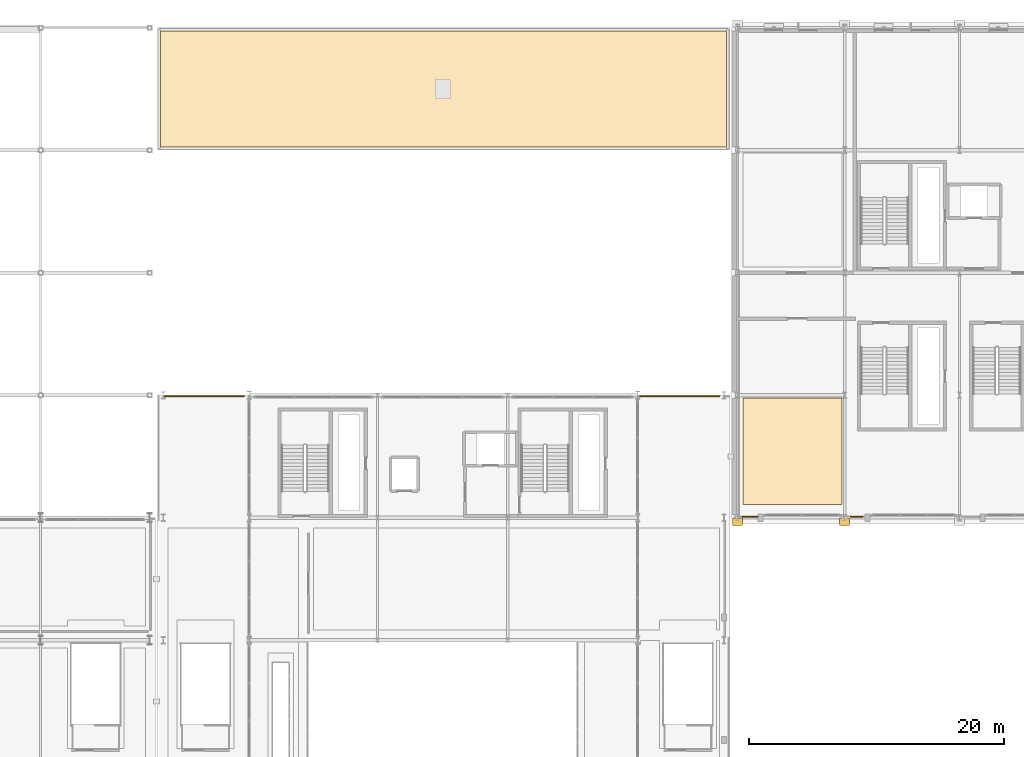
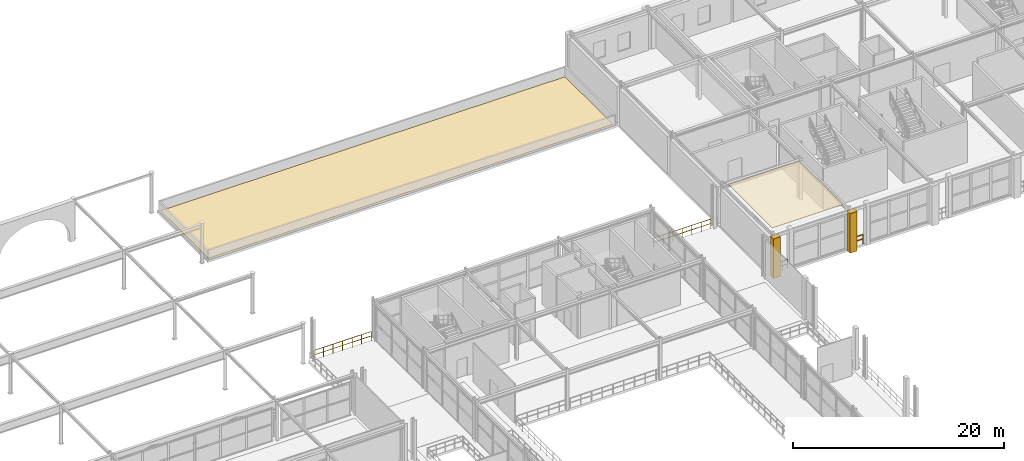
# One storey, part 108 of 125: 4 coverings, 4 railings.
"""IFC4 building model written with IfcOpenShell, lengths in metres."""

from ifc_helpers import new_model, si_unit, direction, frame, origin, origin_2d, place, context, subcontext, project, spatial, polyline, rectangle, outline, extrude, material, layer, layer_set, type_object, element, save


model = new_model("IFC4")

# Units and contexts
model_context = context("Model", 3, precision=1e-05, world=origin(), true_north=direction((0.0, 1.0)))
body_context = subcontext(model_context, "Body", "Model", "MODEL_VIEW")
ifc_project = project(units=[si_unit("LENGTHUNIT", "METRE"), si_unit("AREAUNIT", "SQUARE_METRE"), si_unit("VOLUMEUNIT", "CUBIC_METRE"), si_unit("PLANEANGLEUNIT", "RADIAN"), si_unit("MASSUNIT", "GRAM", prefix="KILO")], contexts=[model_context])

# Site, building, storey
site_placement = place(None, origin())
site = spatial("IfcSite", under=ifc_project, at=site_placement, CompositionType="ELEMENT")
building_placement = place(site_placement, origin())
building = spatial("IfcBuilding", under=site, at=building_placement, Name="Myrtia Square Station", CompositionType="ELEMENT")
storey_placement = place(building_placement, frame((0.0, 0.0, 6.0)))
storey = spatial("IfcBuildingStorey", under=building, at=storey_placement, Name="L01", CompositionType="ELEMENT", Elevation=6.0)

# Coverings
ifc_material_1 = material(Name="Pentelic marble ashlar", Category="masonry")
ifc_layer_1 = layer(ifc_material_1, 0.4599609375, Name="Pentelic marble ashlar")
ifc_layer_set_1 = layer_set([ifc_layer_1], Name="Pentelic marble ashlar")
covering_type_1 = type_object("IfcCoveringType", Name="COV-ARCH-ASHLAR", PredefinedType="CLADDING", material=ifc_layer_set_1)
for number, where, z_axis, x_axis, name in (
    (1, (117.60009765625, 86.080078125, -0.0400390625), (0.0, 0.0, 1.0), (1.0, 0.0, 0.0), "Classical Pentelic ashlar pilaster 054"),
    (2, (126.0, 86.080078125, -0.0400390625), (0.0, 0.0, 1.0), (1.0, 0.0, 0.0), "Classical Pentelic ashlar pilaster 060"),
):
    element("IfcCovering", number, at=place(storey_placement, frame(where, z_axis=z_axis, x_axis=x_axis)), inside=storey, type_object=covering_type_1, Name=name, PredefinedType="CLADDING", context=body_context, shape_type="SweptSolid", body=[
        extrude(rectangle(XDim=0.780029296875, YDim=0.56005859375, at=origin_2d()), origin(), (0.0, 0.0, 1.0), 4.590087890625),
    ])
ifc_material_2 = material(Name="Gypsum plasterboard")
ifc_layer_2 = layer(ifc_material_2, 0.034912109375, Name="Gypsum plasterboard")
ifc_layer_set_2 = layer_set([ifc_layer_2], Name="Gypsum plasterboard")
covering_type_2 = type_object("IfcCoveringType", Name="COV-CEIL-ACOUSTIC", PredefinedType="CEILING", material=ifc_layer_set_2)
covering_1_placement = place(storey_placement, frame((0.0, 0.0, 4.514892578125)))
element("IfcCovering", 3, at=covering_1_placement, inside=storey, type_object=covering_type_2, Name="Acoustic coffer ceiling L01-15", PredefinedType="CEILING", context=body_context, shape_type="SweptSolid", body=[
    extrude(outline(polyline([(118.050048828125, 87.449951171875), (118.050048828125, 95.780029296875), (125.780029296875, 95.780029296875), (125.780029296875, 87.449951171875), (118.050048828125, 87.449951171875)])), origin(), (0.0, 0.0, 1.0), 0.03515625),
])
ifc_material_3 = material(Name="Waterproof elastomeric membrane")
ifc_layer_3 = layer(ifc_material_3, 0.044921875, Name="Waterproof elastomeric membrane")
ifc_layer_set_3 = layer_set([ifc_layer_3], Name="Waterproof elastomeric membrane")
covering_type_3 = type_object("IfcCoveringType", Name="COV-MEMB-FLAT", PredefinedType="ROOFING", material=ifc_layer_set_3)
covering_2_placement = place(storey_placement, origin())
element("IfcCovering", 4, at=covering_2_placement, inside=storey, type_object=covering_type_3, Name="Flat roof waterproof membrane ROOF-L01-V5W", PredefinedType="ROOFING", context=body_context, shape_type="SweptSolid", body=[
    extrude(outline(polyline([(72.39990234375, 115.449951171875), (116.75, 115.449951171875), (116.75, 124.550048828125), (72.39990234375, 124.550048828125), (72.39990234375, 115.449951171875)])), origin(), (0.0, 0.0, 1.0), 0.044921875),
])

# Railings
ifc_material_4 = material(Name="Wrought iron", Category="steel")
railing_type = type_object("IfcRailingType", Name="RL-INT-GUARD-1100", PredefinedType="BALUSTRADE", material=ifc_material_4)
railing_1_placement = place(storey_placement, frame((116.199951171875, 95.919921875, 0.0)))
element("IfcRailing", 5, at=railing_1_placement, inside=storey, type_object=railing_type, Name="Perimeter slab edge balustrade L01-013", PredefinedType="BALUSTRADE", context=body_context, shape_type="SweptSolid", body=[
    extrude(rectangle(XDim=0.048095703125, YDim=0.048095703125, at=origin_2d()), frame((-0.03466796875, 0.0, 1.09619140625), z_axis=(-1.0, 0.0, 0.0), x_axis=(0.0, -1.0, 0.0)), (0.0, 0.0, 1.0), 0.972412109375),
    extrude(rectangle(XDim=0.048095703125, YDim=0.048095703125, at=origin_2d()), frame((-0.03466796875, 0.0, 0.58251953125), z_axis=(-1.0, 0.0, 0.0), x_axis=(0.0, -1.0, 0.0)), (0.0, 0.0, 1.0), 0.972412109375),
    extrude(rectangle(XDim=0.048095703125, YDim=0.048095703125, at=origin_2d()), frame((-1.076416015625, 0.0, 1.09619140625), z_axis=(-1.0, 0.0, 0.0), x_axis=(0.0, -1.0, 0.0)), (0.0, 0.0, 1.0), 0.972412109375),
    extrude(rectangle(XDim=0.048095703125, YDim=0.048095703125, at=origin_2d()), frame((-1.076416015625, 0.0, 0.58251953125), z_axis=(-1.0, 0.0, 0.0), x_axis=(0.0, -1.0, 0.0)), (0.0, 0.0, 1.0), 0.972412109375),
    extrude(rectangle(XDim=0.048095703125, YDim=0.048095703125, at=origin_2d()), frame((-2.117919921875, 0.0, 1.09619140625), z_axis=(-1.0, 0.0, 0.0), x_axis=(0.0, -1.0, 0.0)), (0.0, 0.0, 1.0), 0.972412109375),
    extrude(rectangle(XDim=0.048095703125, YDim=0.048095703125, at=origin_2d()), frame((-2.117919921875, 0.0, 0.58251953125), z_axis=(-1.0, 0.0, 0.0), x_axis=(0.0, -1.0, 0.0)), (0.0, 0.0, 1.0), 0.972412109375),
    extrude(rectangle(XDim=0.048095703125, YDim=0.048095703125, at=origin_2d()), frame((-3.15966796875, 0.0, 1.09619140625), z_axis=(-1.0, 0.0, 0.0), x_axis=(0.0, -1.0, 0.0)), (0.0, 0.0, 1.0), 0.972412109375),
    extrude(rectangle(XDim=0.048095703125, YDim=0.048095703125, at=origin_2d()), frame((-3.15966796875, 0.0, 0.58251953125), z_axis=(-1.0, 0.0, 0.0), x_axis=(0.0, -1.0, 0.0)), (0.0, 0.0, 1.0), 0.972412109375),
    extrude(rectangle(XDim=0.048095703125, YDim=0.048095703125, at=origin_2d()), frame((-4.201416015625, 0.0, 1.09619140625), z_axis=(-1.0, 0.0, 0.0), x_axis=(0.0, -1.0, 0.0)), (0.0, 0.0, 1.0), 0.972412109375),
    extrude(rectangle(XDim=0.048095703125, YDim=0.048095703125, at=origin_2d()), frame((-4.201416015625, 0.0, 0.58251953125), z_axis=(-1.0, 0.0, 0.0), x_axis=(0.0, -1.0, 0.0)), (0.0, 0.0, 1.0), 0.972412109375),
    extrude(rectangle(XDim=0.048095703125, YDim=0.048095703125, at=origin_2d()), frame((-5.242919921875, 0.0, 1.09619140625), z_axis=(-1.0, 0.0, 0.0), x_axis=(0.0, -1.0, 0.0)), (0.0, 0.0, 1.0), 0.972412109375),
    extrude(rectangle(XDim=0.048095703125, YDim=0.048095703125, at=origin_2d()), frame((-5.242919921875, 0.0, 0.58251953125), z_axis=(-1.0, 0.0, 0.0), x_axis=(0.0, -1.0, 0.0)), (0.0, 0.0, 1.0), 0.972412109375),
    extrude(rectangle(XDim=0.0439453125, YDim=0.0439453125, at=origin_2d()), origin(), (0.0, 0.0, 1.0), 1.1201171875),
    extrude(rectangle(XDim=0.0439453125, YDim=0.0439453125, at=origin_2d()), frame((-1.041748046875, 0.0, 0.0)), (0.0, 0.0, 1.0), 1.1201171875),
    extrude(rectangle(XDim=0.0439453125, YDim=0.0439453125, at=origin_2d()), frame((-2.083251953125, 0.0, 0.0)), (0.0, 0.0, 1.0), 1.1201171875),
    extrude(rectangle(XDim=0.0439453125, YDim=0.0439453125, at=origin_2d()), frame((-3.125, 0.0, 0.0)), (0.0, 0.0, 1.0), 1.1201171875),
    extrude(rectangle(XDim=0.0439453125, YDim=0.0439453125, at=origin_2d()), frame((-4.166748046875, 0.0, 0.0)), (0.0, 0.0, 1.0), 1.1201171875),
    extrude(rectangle(XDim=0.0439453125, YDim=0.0439453125, at=origin_2d()), frame((-5.208251953125, 0.0, 0.0)), (0.0, 0.0, 1.0), 1.1201171875),
    extrude(rectangle(XDim=0.0439453125, YDim=0.0439453125, at=origin_2d()), frame((-6.25, 0.0, 0.0)), (0.0, 0.0, 1.0), 1.1201171875),
])
railing_2_placement = place(storey_placement, frame((78.949951171875, 95.919921875, 0.0)))
element("IfcRailing", 6, at=railing_2_placement, inside=storey, type_object=railing_type, Name="Perimeter slab edge balustrade L01-014", PredefinedType="BALUSTRADE", context=body_context, shape_type="SweptSolid", body=[
    extrude(rectangle(XDim=0.048095703125, YDim=0.048095703125, at=origin_2d()), frame((-0.03466796875, 0.0, 1.09619140625), z_axis=(-1.0, 0.0, 0.0), x_axis=(0.0, -1.0, 0.0)), (0.0, 0.0, 1.0), 0.972412109375),
    extrude(rectangle(XDim=0.048095703125, YDim=0.048095703125, at=origin_2d()), frame((-0.03466796875, 0.0, 0.58251953125), z_axis=(-1.0, 0.0, 0.0), x_axis=(0.0, -1.0, 0.0)), (0.0, 0.0, 1.0), 0.972412109375),
    extrude(rectangle(XDim=0.048095703125, YDim=0.048095703125, at=origin_2d()), frame((-1.076416015625, 0.0, 1.09619140625), z_axis=(-1.0, 0.0, 0.0), x_axis=(0.0, -1.0, 0.0)), (0.0, 0.0, 1.0), 0.972412109375),
    extrude(rectangle(XDim=0.048095703125, YDim=0.048095703125, at=origin_2d()), frame((-1.076416015625, 0.0, 0.58251953125), z_axis=(-1.0, 0.0, 0.0), x_axis=(0.0, -1.0, 0.0)), (0.0, 0.0, 1.0), 0.972412109375),
    extrude(rectangle(XDim=0.048095703125, YDim=0.048095703125, at=origin_2d()), frame((-2.117919921875, 0.0, 1.09619140625), z_axis=(-1.0, 0.0, 0.0), x_axis=(0.0, -1.0, 0.0)), (0.0, 0.0, 1.0), 0.972412109375),
    extrude(rectangle(XDim=0.048095703125, YDim=0.048095703125, at=origin_2d()), frame((-2.117919921875, 0.0, 0.58251953125), z_axis=(-1.0, 0.0, 0.0), x_axis=(0.0, -1.0, 0.0)), (0.0, 0.0, 1.0), 0.972412109375),
    extrude(rectangle(XDim=0.048095703125, YDim=0.048095703125, at=origin_2d()), frame((-3.15966796875, 0.0, 1.09619140625), z_axis=(-1.0, 0.0, 0.0), x_axis=(0.0, -1.0, 0.0)), (0.0, 0.0, 1.0), 0.972412109375),
    extrude(rectangle(XDim=0.048095703125, YDim=0.048095703125, at=origin_2d()), frame((-3.15966796875, 0.0, 0.58251953125), z_axis=(-1.0, 0.0, 0.0), x_axis=(0.0, -1.0, 0.0)), (0.0, 0.0, 1.0), 0.972412109375),
    extrude(rectangle(XDim=0.048095703125, YDim=0.048095703125, at=origin_2d()), frame((-4.201416015625, 0.0, 1.09619140625), z_axis=(-1.0, 0.0, 0.0), x_axis=(0.0, -1.0, 0.0)), (0.0, 0.0, 1.0), 0.972412109375),
    extrude(rectangle(XDim=0.048095703125, YDim=0.048095703125, at=origin_2d()), frame((-4.201416015625, 0.0, 0.58251953125), z_axis=(-1.0, 0.0, 0.0), x_axis=(0.0, -1.0, 0.0)), (0.0, 0.0, 1.0), 0.972412109375),
    extrude(rectangle(XDim=0.048095703125, YDim=0.048095703125, at=origin_2d()), frame((-5.242919921875, 0.0, 1.09619140625), z_axis=(-1.0, 0.0, 0.0), x_axis=(0.0, -1.0, 0.0)), (0.0, 0.0, 1.0), 0.972412109375),
    extrude(rectangle(XDim=0.048095703125, YDim=0.048095703125, at=origin_2d()), frame((-5.242919921875, 0.0, 0.58251953125), z_axis=(-1.0, 0.0, 0.0), x_axis=(0.0, -1.0, 0.0)), (0.0, 0.0, 1.0), 0.972412109375),
    extrude(rectangle(XDim=0.0439453125, YDim=0.0439453125, at=origin_2d()), origin(), (0.0, 0.0, 1.0), 1.1201171875),
    extrude(rectangle(XDim=0.0439453125, YDim=0.0439453125, at=origin_2d()), frame((-1.041748046875, 0.0, 0.0)), (0.0, 0.0, 1.0), 1.1201171875),
    extrude(rectangle(XDim=0.0439453125, YDim=0.0439453125, at=origin_2d()), frame((-2.083251953125, 0.0, 0.0)), (0.0, 0.0, 1.0), 1.1201171875),
    extrude(rectangle(XDim=0.0439453125, YDim=0.0439453125, at=origin_2d()), frame((-3.125, 0.0, 0.0)), (0.0, 0.0, 1.0), 1.1201171875),
    extrude(rectangle(XDim=0.0439453125, YDim=0.0439453125, at=origin_2d()), frame((-4.166748046875, 0.0, 0.0)), (0.0, 0.0, 1.0), 1.1201171875),
    extrude(rectangle(XDim=0.0439453125, YDim=0.0439453125, at=origin_2d()), frame((-5.208251953125, 0.0, 0.0)), (0.0, 0.0, 1.0), 1.1201171875),
    extrude(rectangle(XDim=0.0439453125, YDim=0.0439453125, at=origin_2d()), frame((-6.25, 0.0, 0.0)), (0.0, 0.0, 1.0), 1.1201171875),
])
railing_3_placement = place(storey_placement, frame((117.949951171875, 86.47998046875, 0.0)))
element("IfcRailing", 7, at=railing_3_placement, inside=storey, type_object=railing_type, Name="Perimeter slab edge balustrade L01-036", PredefinedType="BALUSTRADE", context=body_context, shape_type="SweptSolid", body=[
    extrude(rectangle(XDim=0.048095703125, YDim=0.048095703125, at=origin_2d()), frame((0.03466796875, 0.0, 1.09619140625), z_axis=(1.0, 0.0, 0.0), x_axis=(0.0, 1.0, 0.0)), (0.0, 0.0, 1.0), 0.5556640625),
    extrude(rectangle(XDim=0.048095703125, YDim=0.048095703125, at=origin_2d()), frame((0.03466796875, 0.0, 0.58251953125), z_axis=(1.0, 0.0, 0.0), x_axis=(0.0, 1.0, 0.0)), (0.0, 0.0, 1.0), 0.5556640625),
    extrude(rectangle(XDim=0.048095703125, YDim=0.048095703125, at=origin_2d()), frame((0.65966796875, 0.0, 1.09619140625), z_axis=(1.0, 0.0, 0.0), x_axis=(0.0, 1.0, 0.0)), (0.0, 0.0, 1.0), 0.5556640625),
    extrude(rectangle(XDim=0.048095703125, YDim=0.048095703125, at=origin_2d()), frame((0.65966796875, 0.0, 0.58251953125), z_axis=(1.0, 0.0, 0.0), x_axis=(0.0, 1.0, 0.0)), (0.0, 0.0, 1.0), 0.5556640625),
    extrude(rectangle(XDim=0.0439453125, YDim=0.0439453125, at=origin_2d()), origin(), (0.0, 0.0, 1.0), 1.1201171875),
    extrude(rectangle(XDim=0.0439453125, YDim=0.0439453125, at=origin_2d()), frame((0.625, 0.0, 0.0)), (0.0, 0.0, 1.0), 1.1201171875),
    extrude(rectangle(XDim=0.0439453125, YDim=0.0439453125, at=origin_2d()), frame((1.25, 0.0, 0.0)), (0.0, 0.0, 1.0), 1.1201171875),
])
railing_4_placement = place(storey_placement, frame((126.449951171875, 86.47998046875, 0.0)))
element("IfcRailing", 8, at=railing_4_placement, inside=storey, type_object=railing_type, Name="Perimeter slab edge balustrade L01-037", PredefinedType="BALUSTRADE", context=body_context, shape_type="SweptSolid", body=[
    extrude(rectangle(XDim=0.048095703125, YDim=0.048095703125, at=origin_2d()), frame((0.03466796875, 0.0, 1.09619140625), z_axis=(1.0, 0.0, 0.0), x_axis=(0.0, 1.0, 0.0)), (0.0, 0.0, 1.0), 0.9306640625),
    extrude(rectangle(XDim=0.048095703125, YDim=0.048095703125, at=origin_2d()), frame((0.03466796875, 0.0, 0.58251953125), z_axis=(1.0, 0.0, 0.0), x_axis=(0.0, 1.0, 0.0)), (0.0, 0.0, 1.0), 0.9306640625),
    extrude(rectangle(XDim=0.0439453125, YDim=0.0439453125, at=origin_2d()), origin(), (0.0, 0.0, 1.0), 1.1201171875),
    extrude(rectangle(XDim=0.0439453125, YDim=0.0439453125, at=origin_2d()), frame((1.0, 0.0, 0.0)), (0.0, 0.0, 1.0), 1.1201171875),
])

save(model, "model.ifc")
